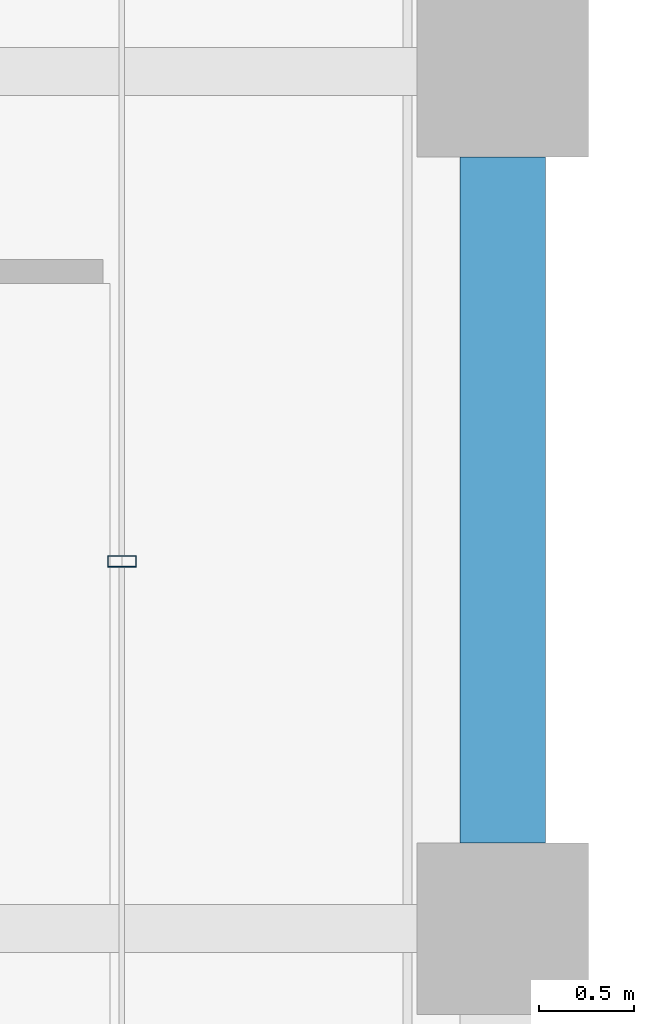
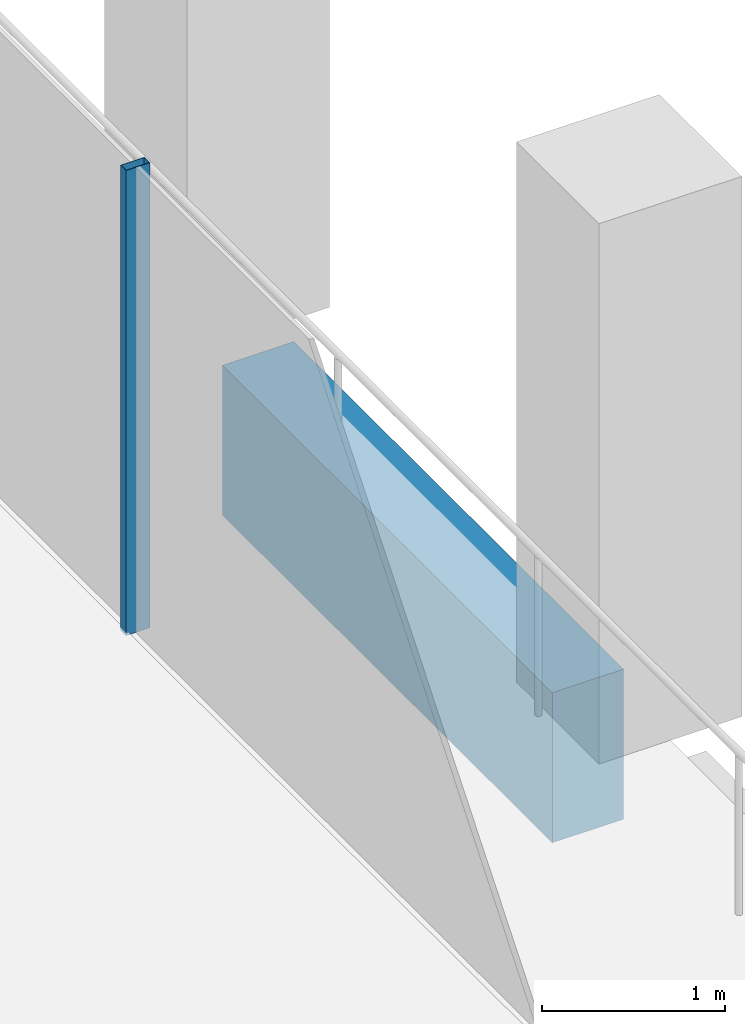
# One storey, part 17 of 40: 1 beam, 1 member, 1 element without a shape of its own.
"""IFC4 building model written with IfcOpenShell, lengths in metres."""

from ifc_helpers import new_model, si_unit, direction, frame, origin, origin_2d, place, context, subcontext, project, spatial, rectangle, hollow_rectangle, extrude, material, material_profile, profile_set, type_object, element, aggregate, save


model = new_model("IFC4")

# Units and contexts
model_context = context("Model", 3, precision=1e-05, world=origin(), true_north=direction((0.0, 1.0)))
body_context = subcontext(model_context, "Body", "Model", "MODEL_VIEW")
ifc_project = project(units=[si_unit("LENGTHUNIT", "METRE"), si_unit("AREAUNIT", "SQUARE_METRE"), si_unit("VOLUMEUNIT", "CUBIC_METRE"), si_unit("PLANEANGLEUNIT", "RADIAN"), si_unit("MASSUNIT", "GRAM", prefix="KILO")], contexts=[model_context])

# Site, building, storey
site_placement = place(None, origin())
site = spatial("IfcSite", under=ifc_project, at=site_placement, CompositionType="ELEMENT")
building_placement = place(site_placement, origin())
building = spatial("IfcBuilding", under=site, at=building_placement, Name="Altepetl Exchange Towers", CompositionType="ELEMENT")
storey_placement = place(building_placement, frame((0.0, 0.0, 187.0)))
storey = spatial("IfcBuildingStorey", under=building, at=storey_placement, Name="L47", CompositionType="ELEMENT", Elevation=187.0)

# Curtain wall, member
ifc_material_1 = material(Name="Aluminium 6063-T6 glazing", Category="aluminium")
curtain_wall_type = type_object("IfcCurtainWallType", Name="Loggia glazing system", PredefinedType="NOTDEFINED", material=ifc_material_1)
curtain_wall_placement = place(storey_placement, origin())
curtain_wall = element("IfcCurtainWall", 1, at=curtain_wall_placement, inside=storey, type_object=curtain_wall_type, Name="CW1 run", PredefinedType="NOTDEFINED")
ifc_material_2 = material(Name="Aluminium 6063-T6", Category="aluminium")
ifc_material_profile_1 = material_profile(ifc_material_2, hollow_rectangle(XDim=0.06005859375, YDim=0.14990234375, WallThickness=0.0029296875, at=origin_2d()), Name="Mullion 60x150 aluminium")
ifc_profile_set_1 = profile_set([ifc_material_profile_1], Name="Aluminium 6063-T6")
member_type = type_object("IfcMemberType", Name="Mullion 60x150 aluminium", PredefinedType="MULLION", material=ifc_profile_set_1)
member_placement = place(storey_placement, frame((70.0, 46.927978515625, 0.0), z_axis=(0.0, 0.0, 1.0), x_axis=(0.0, 1.0, 0.0)))
member = element("IfcMember", 2, at=member_placement, type_object=member_type, Name="MU1 mullion", PredefinedType="MULLION", context=body_context, shape_type="SweptSolid", body=[
    extrude(hollow_rectangle(XDim=0.06005859375, YDim=0.14990234375, WallThickness=0.0029296875, at=origin_2d()), origin(), (0.0, 0.0, 1.0), 3.10009765625),
])
aggregate(curtain_wall, [member])

# Beam
ifc_material_3 = material(Name="Concrete C50/60 precast with cantera amarilla facing", Category="concrete")
ifc_material_profile_2 = material_profile(ifc_material_3, rectangle(XDim=0.449951171875, YDim=1.0, at=origin_2d()), Name="450 x 1000")
ifc_profile_set_2 = profile_set([ifc_material_profile_2], Name="Concrete C50/60 precast with cantera amarilla facing")
beam_type = type_object("IfcBeamType", Name="Spandrel beam 450x1000 cantera amarilla", PredefinedType="SPANDREL", material=ifc_profile_set_2)
beam_placement = place(storey_placement, frame((72.0, 45.449951171875, -0.64990234375), z_axis=(0.0, 1.0, 0.0), x_axis=(-1.0, 0.0, 0.0)))
element("IfcBeam", 3, at=beam_placement, inside=storey, type_object=beam_type, Name="sp:A:L47:015", PredefinedType="SPANDREL", context=body_context, shape_type="SweptSolid", body=[
    extrude(rectangle(XDim=0.449951171875, YDim=1.0, at=origin_2d()), origin(), (0.0, 0.0, 1.0), 3.60009765625),
])

save(model, "model.ifc")
